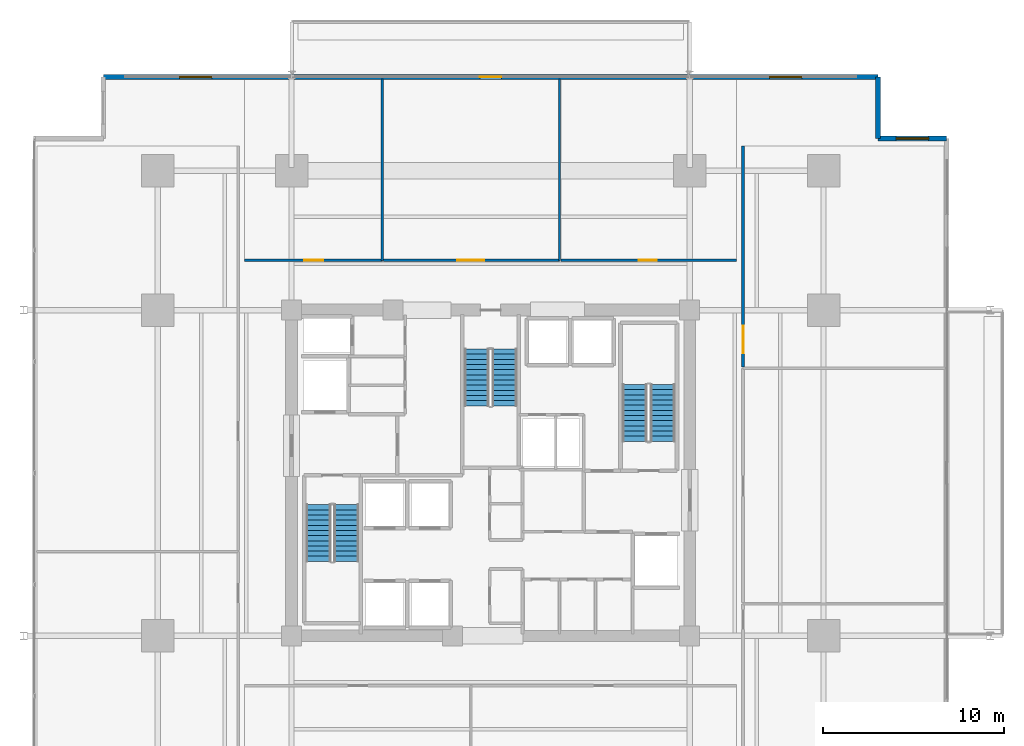
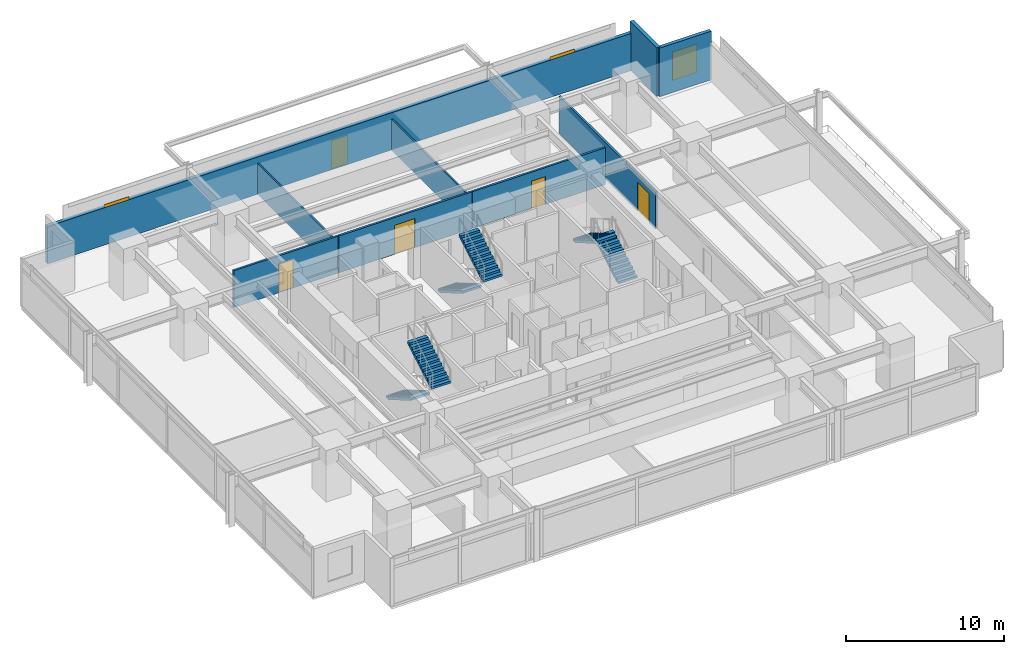
# One storey, part 16 of 20: 9 walls, 6 stair flights, 5 doors, 3 windows, 8 openings, 3 elements without a shape of their own.
"""IFC4 building model written with IfcOpenShell, lengths in metres."""

from ifc_helpers import new_model, si_unit, direction, frame, frame_2d, origin, place, context, subcontext, project, spatial, polyline, rectangle, outline, extrude, material, layer, layer_set, type_object, element, fill, aggregate, save


model = new_model("IFC4")

# Units and contexts
model_context = context("Model", 3, precision=1e-05, world=origin(), true_north=direction((0.0, 1.0)))
body_context = subcontext(model_context, "Body", "Model", "MODEL_VIEW")
ifc_project = project(units=[si_unit("LENGTHUNIT", "METRE"), si_unit("AREAUNIT", "SQUARE_METRE"), si_unit("VOLUMEUNIT", "CUBIC_METRE"), si_unit("PLANEANGLEUNIT", "RADIAN"), si_unit("MASSUNIT", "GRAM", prefix="KILO")], contexts=[model_context])

# Site, building, storey
site_placement = place(None, origin())
site = spatial("IfcSite", under=ifc_project, at=site_placement, CompositionType="ELEMENT")
building_placement = place(site_placement, origin())
building = spatial("IfcBuilding", under=site, at=building_placement, Name="Kovane Verandah Tower", CompositionType="ELEMENT")
storey_placement = place(building_placement, frame((0.0, 0.0, 39.60009765625)))
storey = spatial("IfcBuildingStorey", under=building, at=storey_placement, Name="L08", CompositionType="ELEMENT", Elevation=39.60009765625)

# Wall, opening, door
ifc_material_1 = material(Name="Fire-Rated Gypsum Stud Partition", Category="gypsum")
ifc_layer_1 = layer(ifc_material_1, 0.14990234375)
ifc_layer_set_1 = layer_set([ifc_layer_1], Name="Fire-Rated Gypsum Stud Partition")
wall_type_1 = type_object("IfcWallType", Name="WL-COR-150", PredefinedType="PARTITIONING", material=ifc_layer_set_1)
wall_1_placement = place(storey_placement, frame((26.39990234375, 39.25, 0.0), z_axis=(0.0, 0.0, 1.0), x_axis=(1.0, 0.0, 0.0)))
wall_1 = element("IfcWall", 1, at=wall_1_placement, inside=storey, type_object=wall_type_1, Name="L08 Executive Office N1 Corridor Partition", PredefinedType="PARTITIONING", context=body_context, shape_type="SweptSolid", body=[
    extrude(rectangle(XDim=7.6162109375, YDim=0.14990234375, at=frame_2d((3.80810546875, 0.0))), origin(), (0.0, 0.0, 1.0), 2.849853515625),
])
opening_1_placement = place(wall_1_placement, frame((3.298095703125, 0.0, 0.0)))
opening_1 = element("IfcOpeningElement", 2, at=opening_1_placement, cuts=wall_1, Name="Opening DR-L08-022", PredefinedType="OPENING", context=body_context, shape_type="SweptSolid", body=[
    extrude(rectangle(XDim=1.050048828125, YDim=2.199951171875, at=frame_2d((0.52490234375, 1.10009765625))), frame((0.0, 0.074951171875, 0.0), z_axis=(0.0, -1.0, 0.0), x_axis=(1.0, 0.0, 0.0)), (0.0, 0.0, 1.0), 0.14990234375),
])
ifc_material_2 = material(Name="FSC Blackbutt Timber Fire-Rated Executive Door", Category="wood")
door_type_1 = type_object("IfcDoorType", Name="DR-EXEC-1050", OperationType="SINGLE_SWING_LEFT", PredefinedType="DOOR", material=ifc_material_2)
door_1_placement = place(opening_1_placement, origin())
door_1 = element("IfcDoor", 3, at=door_1_placement, inside=storey, type_object=door_type_1, Name="L08 Executive Office N1 Entrance Door", OperationType="SINGLE_SWING_RIGHT", OverallHeight=2.199951171875, OverallWidth=1.050048828125, PredefinedType="DOOR", context=body_context, shape_type="SweptSolid", body=[
    extrude(rectangle(XDim=1.050048828125, YDim=2.199951171875, at=frame_2d((0.52490234375, 1.10009765625))), frame((0.0, 0.02490234375, 0.0), z_axis=(0.0, -1.0, 0.0), x_axis=(1.0, 0.0, 0.0)), (0.0, 0.0, 1.0), 0.050048828125),
])
fill(opening_1, door_1)

wall_2_placement = place(storey_placement, frame((34.0859375, 39.25, 0.0), z_axis=(0.0, 0.0, 1.0), x_axis=(1.0, 0.0, 0.0)))
wall_2 = element("IfcWall", 4, at=wall_2_placement, inside=storey, type_object=wall_type_1, Name="L08 Client Boardroom N2 Corridor Partition", PredefinedType="PARTITIONING", context=body_context, shape_type="SweptSolid", body=[
    extrude(rectangle(XDim=9.72216796875, YDim=0.14990234375, at=frame_2d((4.861083984375, 0.0))), origin(), (0.0, 0.0, 1.0), 2.849853515625),
])
opening_2_placement = place(wall_2_placement, frame((4.075927734375, 0.0, 0.0)))
opening_2 = element("IfcOpeningElement", 5, at=opening_2_placement, cuts=wall_2, Name="Opening DR-L08-023", PredefinedType="OPENING", context=body_context, shape_type="SweptSolid", body=[
    extrude(rectangle(XDim=1.5, YDim=2.25, at=frame_2d((0.75, 1.125))), frame((0.0, 0.074951171875, 0.0), z_axis=(0.0, -1.0, 0.0), x_axis=(1.0, 0.0, 0.0)), (0.0, 0.0, 1.0), 0.14990234375),
])
ifc_material_3 = material(Name="Glazed Timber Fire-Rated Double Door", Category="wood")
door_type_2 = type_object("IfcDoorType", Name="DR-CONF-1500", OperationType="DOUBLE_DOOR_SINGLE_SWING", PredefinedType="DOOR", material=ifc_material_3)
door_2_placement = place(opening_2_placement, origin())
door_2 = element("IfcDoor", 6, at=door_2_placement, inside=storey, type_object=door_type_2, Name="L08 Client Boardroom N2 Entrance Door", OperationType="DOUBLE_DOOR_SINGLE_SWING", OverallHeight=2.25, OverallWidth=1.5, PredefinedType="DOOR", context=body_context, shape_type="SweptSolid", body=[
    extrude(rectangle(XDim=1.5, YDim=2.25, at=frame_2d((0.75, 1.125))), frame((0.0, 0.02490234375, 0.0), z_axis=(0.0, -1.0, 0.0), x_axis=(1.0, 0.0, 0.0)), (0.0, 0.0, 1.0), 0.050048828125),
])
fill(opening_2, door_2)

wall_3_placement = place(storey_placement, frame((43.8779296875, 39.25, 0.0), z_axis=(0.0, 0.0, 1.0), x_axis=(1.0, 0.0, 0.0)))
wall_3 = element("IfcWall", 7, at=wall_3_placement, inside=storey, type_object=wall_type_1, Name="L08 Meeting Room N3 Corridor Partition", PredefinedType="PARTITIONING", context=body_context, shape_type="SweptSolid", body=[
    extrude(rectangle(XDim=9.72216796875, YDim=0.14990234375, at=frame_2d((4.861083984375, 0.0))), origin(), (0.0, 0.0, 1.0), 2.849853515625),
])
opening_3_placement = place(wall_3_placement, frame((4.31103515625, 0.0, 0.0)))
opening_3 = element("IfcOpeningElement", 8, at=opening_3_placement, cuts=wall_3, Name="Opening DR-L08-024", PredefinedType="OPENING", context=body_context, shape_type="SweptSolid", body=[
    extrude(rectangle(XDim=1.0, YDim=2.14990234375, at=frame_2d((0.5, 1.074951171875))), frame((0.0, 0.074951171875, 0.0), z_axis=(0.0, -1.0, 0.0), x_axis=(1.0, 0.0, 0.0)), (0.0, 0.0, 1.0), 0.14990234375),
])
ifc_material_4 = material(Name="FSC Spotted-Gum Timber Fire-Rated Office Door", Category="wood")
door_type_3 = type_object("IfcDoorType", Name="DR-OFF-1000", OperationType="SINGLE_SWING_LEFT", PredefinedType="DOOR", material=ifc_material_4)
door_3_placement = place(opening_3_placement, origin())
door_3 = element("IfcDoor", 9, at=door_3_placement, inside=storey, type_object=door_type_3, Name="L08 Meeting Room N3 Entrance Door", OperationType="SINGLE_SWING_RIGHT", OverallHeight=2.14990234375, OverallWidth=1.0, PredefinedType="DOOR", context=body_context, shape_type="SweptSolid", body=[
    extrude(rectangle(XDim=1.0, YDim=2.14990234375, at=frame_2d((0.5, 1.074951171875))), frame((0.0, 0.02490234375, 0.0), z_axis=(0.0, -1.0, 0.0), x_axis=(1.0, 0.0, 0.0)), (0.0, 0.0, 1.0), 0.050048828125),
])
fill(opening_3, door_3)

wall_4_placement = place(storey_placement, frame((53.949951171875, 33.356201171875, 0.0), z_axis=(0.0, 0.0, 1.0), x_axis=(0.0, 1.0, 0.0)))
wall_4 = element("IfcWall", 10, at=wall_4_placement, inside=storey, type_object=wall_type_1, Name="L08 Client Boardroom E3 Corridor Partition", PredefinedType="PARTITIONING", context=body_context, shape_type="SweptSolid", body=[
    extrude(rectangle(XDim=12.22607421875, YDim=0.14990234375, at=frame_2d((6.113037109375, 0.0))), origin(), (0.0, 0.0, 1.0), 2.849853515625),
])
opening_4_placement = place(wall_4_placement, frame((0.77197265625, 0.0, 0.0)))
opening_4 = element("IfcOpeningElement", 11, at=opening_4_placement, cuts=wall_4, Name="Opening DR-L08-015", PredefinedType="OPENING", context=body_context, shape_type="SweptSolid", body=[
    extrude(rectangle(XDim=1.5, YDim=2.25, at=frame_2d((0.75, 1.125))), frame((0.0, 0.074951171875, 0.0), z_axis=(0.0, -1.0, 0.0), x_axis=(1.0, 0.0, 0.0)), (0.0, 0.0, 1.0), 0.14990234375),
])
door_4_placement = place(opening_4_placement, origin())
door_4 = element("IfcDoor", 12, at=door_4_placement, inside=storey, type_object=door_type_2, Name="L08 Client Boardroom E3 Entrance Door", OperationType="DOUBLE_DOOR_SINGLE_SWING", OverallHeight=2.25, OverallWidth=1.5, PredefinedType="DOOR", context=body_context, shape_type="SweptSolid", body=[
    extrude(rectangle(XDim=1.5, YDim=2.25, at=frame_2d((0.75, 1.125))), frame((0.0, 0.02490234375, 0.0), z_axis=(0.0, -1.0, 0.0), x_axis=(1.0, 0.0, 0.0)), (0.0, 0.0, 1.0), 0.050048828125),
])
fill(opening_4, door_4)

# Walls
ifc_material_5 = material(Name="Acoustic Fire-Rated Gypsum Partition", Category="gypsum")
ifc_layer_2 = layer(ifc_material_5, 0.1201171875)
ifc_layer_set_2 = layer_set([ifc_layer_2], Name="Acoustic Fire-Rated Gypsum Partition")
wall_type_2 = type_object("IfcWallType", Name="WL-PART-120", PredefinedType="PARTITIONING", material=ifc_layer_set_2)
for number, where, z_axis, x_axis, name in (
    (13, (34.01611328125, 39.25, 0.0), (0.0, 0.0, 1.0), (0.0, 1.0, 0.0), "L08 Executive Office N1 Dividing Partition"),
    (14, (43.80810546875, 39.25, 0.0), (0.0, 0.0, 1.0), (0.0, 1.0, 0.0), "L08 Client Boardroom N2 Dividing Partition"),
):
    element("IfcWall", number, at=place(storey_placement, frame(where, z_axis=z_axis, x_axis=x_axis)), inside=storey, type_object=wall_type_2, Name=name, PredefinedType="PARTITIONING", context=body_context, shape_type="SweptSolid", body=[
        extrude(rectangle(XDim=10.0322265625, YDim=0.1201171875, at=frame_2d((5.01611328125, 0.0))), origin(), (0.0, 0.0, 1.0), 2.389892578125),
    ])

# Wall, openings, door, windows
ifc_material_6 = material(Name="Concrete C45/55 Insulated Spandrel Wall", Category="concrete")
ifc_layer_3 = layer(ifc_material_6, 0.260009765625)
ifc_layer_set_3 = layer_set([ifc_layer_3], Name="Concrete C45/55 Insulated Spandrel Wall")
wall_type_3 = type_object("IfcWallType", Name="WL-SPANDREL-260", PredefinedType="PARAPET", material=ifc_layer_set_3)
wall_5_placement = place(storey_placement, frame((61.4033203125, 49.382080078125, 0.0), z_axis=(0.0, 0.0, 1.0), x_axis=(-1.0, 0.0, 0.0)))
wall_5 = element("IfcWall", 15, at=wall_5_placement, inside=storey, type_object=wall_type_3, Name="L08 N Verandah Access Facade Wall", PredefinedType="PARAPET", context=body_context, shape_type="SweptSolid", body=[
    extrude(rectangle(XDim=42.806640625, YDim=0.260009765625, at=frame_2d((21.4033203125, 0.0))), origin(), (0.0, 0.0, 1.0), 2.88916015625),
])
opening_5_placement = place(wall_5_placement, frame((4.199951171875, 0.0, 0.85009765625)))
opening_5 = element("IfcOpeningElement", 16, at=opening_5_placement, cuts=wall_5, Name="Opening W-03", PredefinedType="OPENING", context=body_context, shape_type="SweptSolid", body=[
    extrude(rectangle(XDim=1.800048828125, YDim=2.199951171875, at=frame_2d((0.89990234375, 1.10009765625))), frame((0.0, 0.1298828125, 0.0), z_axis=(0.0, -1.0, 0.0), x_axis=(1.0, 0.0, 0.0)), (0.0, 0.0, 1.0), 0.260009765625),
])
opening_6_placement = place(wall_5_placement, frame((20.80322265625, 0.0, 0.0)))
opening_6 = element("IfcOpeningElement", 17, at=opening_6_placement, cuts=wall_5, Name="Opening DR-L08-002", PredefinedType="OPENING", context=body_context, shape_type="SweptSolid", body=[
    extrude(rectangle(XDim=1.199951171875, YDim=2.199951171875, at=frame_2d((0.60009765625, 1.10009765625))), frame((0.0, 0.1298828125, 0.0), z_axis=(0.0, -1.0, 0.0), x_axis=(1.0, 0.0, 0.0)), (0.0, 0.0, 1.0), 0.260009765625),
])
opening_7_placement = place(wall_5_placement, frame((36.806396484375, 0.0, 0.85009765625)))
opening_7 = element("IfcOpeningElement", 18, at=opening_7_placement, cuts=wall_5, Name="Opening W-03", PredefinedType="OPENING", context=body_context, shape_type="SweptSolid", body=[
    extrude(rectangle(XDim=1.800048828125, YDim=2.199951171875, at=frame_2d((0.89990234375, 1.10009765625))), frame((0.0, 0.1298828125, 0.0), z_axis=(0.0, -1.0, 0.0), x_axis=(1.0, 0.0, 0.0)), (0.0, 0.0, 1.0), 0.260009765625),
])
ifc_material_7 = material(Name="Cyclone-Rated Glazed Balcony Leaf Door", Category="aluminium")
door_type_4 = type_object("IfcDoorType", Name="DR-BAL-1200x2200", OperationType="SINGLE_SWING_LEFT", PredefinedType="DOOR", material=ifc_material_7)
door_5_placement = place(opening_6_placement, origin())
door_5 = element("IfcDoor", 19, at=door_5_placement, inside=storey, type_object=door_type_4, Name="L08 N Planted Balcony Access Door", OperationType="SINGLE_SWING_LEFT", OverallHeight=2.199951171875, OverallWidth=1.199951171875, PredefinedType="DOOR", context=body_context, shape_type="SweptSolid", body=[
    extrude(rectangle(XDim=1.199951171875, YDim=2.199951171875, at=frame_2d((0.60009765625, 1.10009765625))), frame((0.0, 0.02490234375, 0.0), z_axis=(0.0, -1.0, 0.0), x_axis=(1.0, 0.0, 0.0)), (0.0, 0.0, 1.0), 0.050048828125),
])
fill(opening_6, door_5)
ifc_material_8 = material(Name="Clear Low-E Laminated Double Glazing in Anodised Frame", Category="glass")
window_type = type_object("IfcWindowType", Name="WN-NOTCH-1800x2200", PartitioningType="SINGLE_PANEL", PredefinedType="WINDOW", material=ifc_material_8)
window_1_placement = place(opening_5_placement, origin())
window_1 = element("IfcWindow", 20, at=window_1_placement, inside=storey, type_object=window_type, Name="L08 N Verandah View Window 1", OverallHeight=2.199951171875, OverallWidth=1.800048828125, PartitioningType="SINGLE_PANEL", PredefinedType="WINDOW", context=body_context, shape_type="SweptSolid", body=[
    extrude(rectangle(XDim=1.800048828125, YDim=2.199951171875, at=frame_2d((0.89990234375, 1.10009765625))), frame((0.0, 0.030029296875, 0.0), z_axis=(0.0, -1.0, 0.0), x_axis=(1.0, 0.0, 0.0)), (0.0, 0.0, 1.0), 0.06005859375),
])
fill(opening_5, window_1)
window_2_placement = place(opening_7_placement, origin())
window_2 = element("IfcWindow", 21, at=window_2_placement, inside=storey, type_object=window_type, Name="L08 N Verandah View Window 2", OverallHeight=2.199951171875, OverallWidth=1.800048828125, PartitioningType="SINGLE_PANEL", PredefinedType="WINDOW", context=body_context, shape_type="SweptSolid", body=[
    extrude(rectangle(XDim=1.800048828125, YDim=2.199951171875, at=frame_2d((0.89990234375, 1.10009765625))), frame((0.0, 0.030029296875, 0.0), z_axis=(0.0, -1.0, 0.0), x_axis=(1.0, 0.0, 0.0)), (0.0, 0.0, 1.0), 0.06005859375),
])
fill(opening_7, window_2)

# Wall, opening, window
wall_6_placement = place(storey_placement, frame((65.203125, 45.982177734375, 0.0), z_axis=(0.0, 0.0, 1.0), x_axis=(-1.0, 0.0, 0.0)))
wall_6 = element("IfcWall", 22, at=wall_6_placement, inside=storey, type_object=wall_type_3, Name="L08 NE Notch Cheek Wall 1", PredefinedType="PARAPET", context=body_context, shape_type="SweptSolid", body=[
    extrude(rectangle(XDim=3.7998046875, YDim=0.260009765625, at=frame_2d((1.89990234375, 0.0))), origin(), (0.0, 0.0, 1.0), 3.760009765625),
])
opening_8_placement = place(wall_6_placement, frame((1.0, 0.0, 0.85009765625)))
opening_8 = element("IfcOpeningElement", 23, at=opening_8_placement, cuts=wall_6, Name="Opening W-03", PredefinedType="OPENING", context=body_context, shape_type="SweptSolid", body=[
    extrude(rectangle(XDim=1.800048828125, YDim=2.199951171875, at=frame_2d((0.89990234375, 1.10009765625))), frame((0.0, 0.1298828125, 0.0), z_axis=(0.0, -1.0, 0.0), x_axis=(1.0, 0.0, 0.0)), (0.0, 0.0, 1.0), 0.260009765625),
])
window_3_placement = place(opening_8_placement, origin())
window_3 = element("IfcWindow", 24, at=window_3_placement, inside=storey, type_object=window_type, Name="L08 NE Re-Entrant Corner Operable Window", OverallHeight=2.199951171875, OverallWidth=1.800048828125, PartitioningType="SINGLE_PANEL", PredefinedType="WINDOW", context=body_context, shape_type="SweptSolid", body=[
    extrude(rectangle(XDim=1.800048828125, YDim=2.199951171875, at=frame_2d((0.89990234375, 1.10009765625))), frame((0.0, 0.030029296875, 0.0), z_axis=(0.0, -1.0, 0.0), x_axis=(1.0, 0.0, 0.0)), (0.0, 0.0, 1.0), 0.06005859375),
])
fill(opening_8, window_3)

# Wall
wall_7_placement = place(storey_placement, frame((61.4033203125, 45.982177734375, 0.0), z_axis=(0.0, 0.0, 1.0), x_axis=(0.0, 1.0, 0.0)))
element("IfcWall", 25, at=wall_7_placement, inside=storey, type_object=wall_type_3, Name="L08 NE Notch Cheek Wall 2", PredefinedType="PARAPET", context=body_context, shape_type="SweptSolid", body=[
    extrude(rectangle(XDim=3.39990234375, YDim=0.260009765625, at=frame_2d((1.699951171875, 0.0))), origin(), (0.0, 0.0, 1.0), 3.760009765625),
])

# Stair, stair flights
ifc_material_9 = material(Name="Concrete C45/55", Category="concrete")
stair_type = type_object("IfcStairType", Name="ST-CORE-1380", PredefinedType="HALF_TURN_STAIR", material=ifc_material_9)
stair_1_placement = place(storey_placement, origin())
stair_1 = element("IfcStair", 26, at=stair_1_placement, inside=storey, type_object=stair_type, Name="L08 Exit Stair ST-01", PredefinedType="HALF_TURN_STAIR")
stair_flight_type = type_object("IfcStairFlightType", Name="STF-CORE-1380", PredefinedType="STRAIGHT", material=ifc_material_9)
stair_flight_1_placement = place(storey_placement, frame((30.489990234375, 25.75, 0.0), z_axis=(0.0, 0.0, 1.0), x_axis=(0.0, -1.0, 0.0)))
stair_flight_1 = element("IfcStairFlight", 27, at=stair_flight_1_placement, type_object=stair_flight_type, Name="ST-01 flight 1", NumberOfRisers=12, NumberOfTreads=11, PredefinedType="STRAIGHT", RiserHeight=0.166666667, TreadLength=0.285, context=body_context, shape_type="SweptSolid", body=[
    extrude(outline(polyline([(0.0, 0.0), (0.0, 0.166748046875), (0.284912109375, 0.166748046875), (0.284912109375, 0.333251953125), (0.570068359375, 0.333251953125), (0.570068359375, 0.5), (0.85498046875, 0.5), (0.85498046875, 0.666748046875), (1.139892578125, 0.666748046875), (1.139892578125, 0.833251953125), (1.425048828125, 0.833251953125), (1.425048828125, 1.0), (1.7099609375, 1.0), (1.7099609375, 1.166748046875), (1.9951171875, 1.166748046875), (1.9951171875, 1.333251953125), (2.280029296875, 1.333251953125), (2.280029296875, 1.5), (2.56494140625, 1.5), (2.56494140625, 1.666748046875), (2.85009765625, 1.666748046875), (2.85009765625, 1.833251953125), (3.135009765625, 1.833251953125), (3.135009765625, 2.0), (3.135009765625, 1.65966796875), (0.296875, 0.0), (0.0, 0.0)])), frame((0.0, 0.68994140625, 0.0), z_axis=(0.0, -1.0, 0.0), x_axis=(1.0, 0.0, 0.0)), (0.0, 0.0, 1.0), 1.3798828125),
])
stair_flight_2_placement = place(storey_placement, frame((32.030029296875, 22.614990234375, 2.0), z_axis=(0.0, 0.0, 1.0), x_axis=(0.0, 1.0, 0.0)))
stair_flight_2 = element("IfcStairFlight", 28, at=stair_flight_2_placement, type_object=stair_flight_type, Name="ST-01 flight 2", NumberOfRisers=12, NumberOfTreads=11, PredefinedType="STRAIGHT", RiserHeight=0.166666667, TreadLength=0.285, context=body_context, shape_type="SweptSolid", body=[
    extrude(outline(polyline([(0.0, 0.0), (0.0, 0.166748046875), (0.284912109375, 0.166748046875), (0.284912109375, 0.333251953125), (0.570068359375, 0.333251953125), (0.570068359375, 0.5), (0.85498046875, 0.5), (0.85498046875, 0.666748046875), (1.139892578125, 0.666748046875), (1.139892578125, 0.833251953125), (1.425048828125, 0.833251953125), (1.425048828125, 1.0), (1.7099609375, 1.0), (1.7099609375, 1.166748046875), (1.9951171875, 1.166748046875), (1.9951171875, 1.333251953125), (2.280029296875, 1.333251953125), (2.280029296875, 1.5), (2.56494140625, 1.5), (2.56494140625, 1.666748046875), (2.85009765625, 1.666748046875), (2.85009765625, 1.833251953125), (3.135009765625, 1.833251953125), (3.135009765625, 2.0), (3.135009765625, 1.65966796875), (0.296875, 0.0), (0.0, 0.0)])), frame((0.0, 0.68994140625, 0.0), z_axis=(0.0, -1.0, 0.0), x_axis=(1.0, 0.0, 0.0)), (0.0, 0.0, 1.0), 1.3798828125),
])
aggregate(stair_1, [stair_flight_1, stair_flight_2])

stair_2_placement = place(storey_placement, origin())
stair_2 = element("IfcStair", 29, at=stair_2_placement, inside=storey, type_object=stair_type, Name="L08 Exit Stair ST-02", PredefinedType="HALF_TURN_STAIR")
stair_flight_3_placement = place(storey_placement, frame((49.510009765625, 29.25, 0.0), z_axis=(0.0, 0.0, 1.0), x_axis=(0.0, 1.0, 0.0)))
stair_flight_3 = element("IfcStairFlight", 30, at=stair_flight_3_placement, type_object=stair_flight_type, Name="ST-02 flight 1", NumberOfRisers=12, NumberOfTreads=11, PredefinedType="STRAIGHT", RiserHeight=0.166666667, TreadLength=0.285, context=body_context, shape_type="SweptSolid", body=[
    extrude(outline(polyline([(0.0, 0.0), (0.0, 0.166748046875), (0.284912109375, 0.166748046875), (0.284912109375, 0.333251953125), (0.570068359375, 0.333251953125), (0.570068359375, 0.5), (0.85498046875, 0.5), (0.85498046875, 0.666748046875), (1.139892578125, 0.666748046875), (1.139892578125, 0.833251953125), (1.425048828125, 0.833251953125), (1.425048828125, 1.0), (1.7099609375, 1.0), (1.7099609375, 1.166748046875), (1.9951171875, 1.166748046875), (1.9951171875, 1.333251953125), (2.280029296875, 1.333251953125), (2.280029296875, 1.5), (2.56494140625, 1.5), (2.56494140625, 1.666748046875), (2.85009765625, 1.666748046875), (2.85009765625, 1.833251953125), (3.135009765625, 1.833251953125), (3.135009765625, 2.0), (3.135009765625, 1.65966796875), (0.296875, 0.0), (0.0, 0.0)])), frame((0.0, 0.68994140625, 0.0), z_axis=(0.0, -1.0, 0.0), x_axis=(1.0, 0.0, 0.0)), (0.0, 0.0, 1.0), 1.3798828125),
])
stair_flight_4_placement = place(storey_placement, frame((47.969970703125, 32.385009765625, 2.0), z_axis=(0.0, 0.0, 1.0), x_axis=(0.0, -1.0, 0.0)))
stair_flight_4 = element("IfcStairFlight", 31, at=stair_flight_4_placement, type_object=stair_flight_type, Name="ST-02 flight 2", NumberOfRisers=12, NumberOfTreads=11, PredefinedType="STRAIGHT", RiserHeight=0.166666667, TreadLength=0.285, context=body_context, shape_type="SweptSolid", body=[
    extrude(outline(polyline([(0.0, 0.0), (0.0, 0.166748046875), (0.284912109375, 0.166748046875), (0.284912109375, 0.333251953125), (0.570068359375, 0.333251953125), (0.570068359375, 0.5), (0.85498046875, 0.5), (0.85498046875, 0.666748046875), (1.139892578125, 0.666748046875), (1.139892578125, 0.833251953125), (1.425048828125, 0.833251953125), (1.425048828125, 1.0), (1.7099609375, 1.0), (1.7099609375, 1.166748046875), (1.9951171875, 1.166748046875), (1.9951171875, 1.333251953125), (2.280029296875, 1.333251953125), (2.280029296875, 1.5), (2.56494140625, 1.5), (2.56494140625, 1.666748046875), (2.85009765625, 1.666748046875), (2.85009765625, 1.833251953125), (3.135009765625, 1.833251953125), (3.135009765625, 2.0), (3.135009765625, 1.65966796875), (0.296875, 0.0), (0.0, 0.0)])), frame((0.0, 0.68994140625, 0.0), z_axis=(0.0, -1.0, 0.0), x_axis=(1.0, 0.0, 0.0)), (0.0, 0.0, 1.0), 1.3798828125),
])
aggregate(stair_2, [stair_flight_3, stair_flight_4])

stair_3_placement = place(storey_placement, origin())
stair_3 = element("IfcStair", 32, at=stair_3_placement, inside=storey, type_object=stair_type, Name="L08 Exit Stair ST-03", PredefinedType="HALF_TURN_STAIR")
stair_flight_5_placement = place(storey_placement, frame((39.22998046875, 34.35009765625, 0.0), z_axis=(0.0, 0.0, 1.0), x_axis=(0.0, -1.0, 0.0)))
stair_flight_5 = element("IfcStairFlight", 33, at=stair_flight_5_placement, type_object=stair_flight_type, Name="ST-03 flight 1", NumberOfRisers=12, NumberOfTreads=11, PredefinedType="STRAIGHT", RiserHeight=0.166666667, TreadLength=0.285, context=body_context, shape_type="SweptSolid", body=[
    extrude(outline(polyline([(0.0, 0.0), (0.0, 0.166748046875), (0.284912109375, 0.166748046875), (0.284912109375, 0.333251953125), (0.570068359375, 0.333251953125), (0.570068359375, 0.5), (0.85498046875, 0.5), (0.85498046875, 0.666748046875), (1.139892578125, 0.666748046875), (1.139892578125, 0.833251953125), (1.425048828125, 0.833251953125), (1.425048828125, 1.0), (1.7099609375, 1.0), (1.7099609375, 1.166748046875), (1.9951171875, 1.166748046875), (1.9951171875, 1.333251953125), (2.280029296875, 1.333251953125), (2.280029296875, 1.5), (2.56494140625, 1.5), (2.56494140625, 1.666748046875), (2.85009765625, 1.666748046875), (2.85009765625, 1.833251953125), (3.135009765625, 1.833251953125), (3.135009765625, 2.0), (3.135009765625, 1.65966796875), (0.296875, 0.0), (0.0, 0.0)])), frame((0.0, 0.68994140625, 0.0), z_axis=(0.0, -1.0, 0.0), x_axis=(1.0, 0.0, 0.0)), (0.0, 0.0, 1.0), 1.3798828125),
])
stair_flight_6_placement = place(storey_placement, frame((40.77001953125, 31.215087890625, 2.0), z_axis=(0.0, 0.0, 1.0), x_axis=(0.0, 1.0, 0.0)))
stair_flight_6 = element("IfcStairFlight", 34, at=stair_flight_6_placement, type_object=stair_flight_type, Name="ST-03 flight 2", NumberOfRisers=12, NumberOfTreads=11, PredefinedType="STRAIGHT", RiserHeight=0.166666667, TreadLength=0.285, context=body_context, shape_type="SweptSolid", body=[
    extrude(outline(polyline([(0.0, 0.0), (0.0, 0.166748046875), (0.284912109375, 0.166748046875), (0.284912109375, 0.333251953125), (0.570068359375, 0.333251953125), (0.570068359375, 0.5), (0.85498046875, 0.5), (0.85498046875, 0.666748046875), (1.139892578125, 0.666748046875), (1.139892578125, 0.833251953125), (1.425048828125, 0.833251953125), (1.425048828125, 1.0), (1.7099609375, 1.0), (1.7099609375, 1.166748046875), (1.9951171875, 1.166748046875), (1.9951171875, 1.333251953125), (2.280029296875, 1.333251953125), (2.280029296875, 1.5), (2.56494140625, 1.5), (2.56494140625, 1.666748046875), (2.85009765625, 1.666748046875), (2.85009765625, 1.833251953125), (3.135009765625, 1.833251953125), (3.135009765625, 2.0), (3.135009765625, 1.65966796875), (0.296875, 0.0), (0.0, 0.0)])), frame((0.0, 0.68994140625, 0.0), z_axis=(0.0, -1.0, 0.0), x_axis=(1.0, 0.0, 0.0)), (0.0, 0.0, 1.0), 1.3798828125),
])
aggregate(stair_3, [stair_flight_5, stair_flight_6])

save(model, "model.ifc")
